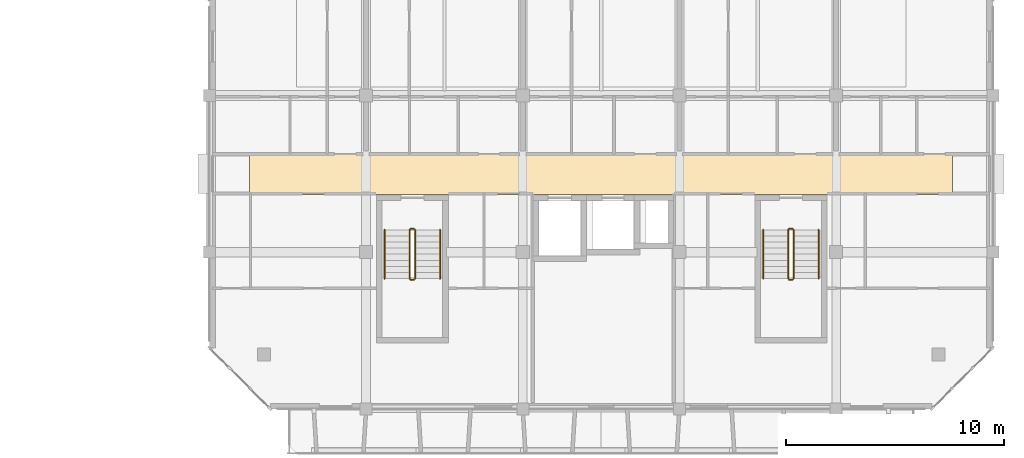
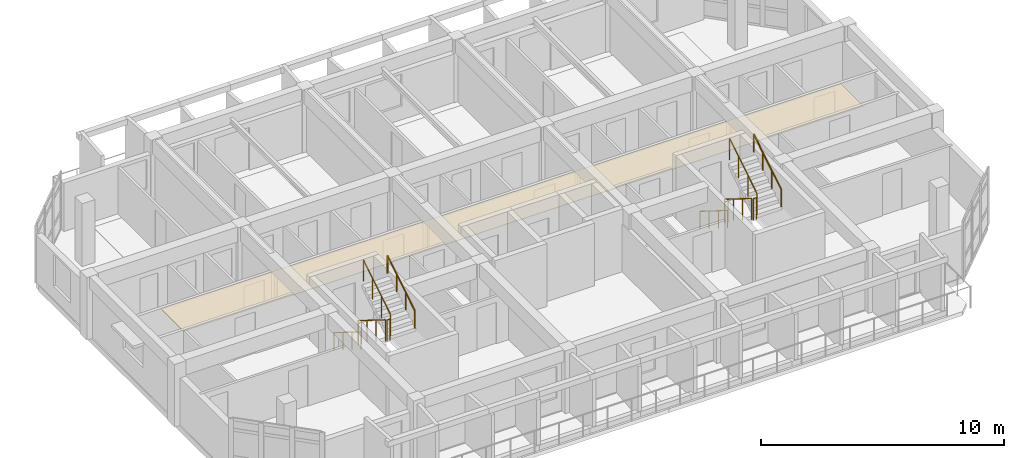
# One storey, part 63 of 64: 12 railings, 1 covering.
"""IFC4 building model written with IfcOpenShell, lengths in metres."""

from ifc_helpers import new_model, si_unit, direction, frame, origin, origin_2d, place, context, subcontext, project, spatial, polyline, circle, outline, extrude, material, layer, layer_set, type_object, element, save


model = new_model("IFC4")

# Units and contexts
model_context = context("Model", 3, precision=1e-05, world=origin(), true_north=direction((0.0, 1.0)))
body_context = subcontext(model_context, "Body", "Model", "MODEL_VIEW")
ifc_project = project(units=[si_unit("LENGTHUNIT", "METRE"), si_unit("AREAUNIT", "SQUARE_METRE"), si_unit("VOLUMEUNIT", "CUBIC_METRE"), si_unit("PLANEANGLEUNIT", "RADIAN"), si_unit("MASSUNIT", "GRAM", prefix="KILO")], contexts=[model_context])

# Site, building, storey
site_placement = place(None, origin())
site = spatial("IfcSite", under=ifc_project, at=site_placement, CompositionType="ELEMENT")
building_placement = place(site_placement, origin())
building = spatial("IfcBuilding", under=site, at=building_placement, Name="Ochrevale Crest", CompositionType="ELEMENT")
storey_placement = place(building_placement, frame((0.0, 0.0, 8.699951171875)))
storey = spatial("IfcBuildingStorey", under=building, at=storey_placement, Name="L02", CompositionType="ELEMENT", Elevation=8.699951171875)

# Covering
ifc_material_1 = material(Name="Gypsum plasterboard", Category="gypsum")
ifc_layer = layer(ifc_material_1, 0.02490234375)
ifc_layer_set = layer_set([ifc_layer], Name="Gypsum plasterboard")
covering_type = type_object("IfcCoveringType", Name="COV-CEIL-GYP", PredefinedType="CEILING", material=ifc_layer_set)
covering_placement = place(storey_placement, frame((0.0, 0.0, 2.280029296875)))
element("IfcCovering", 1, at=covering_placement, inside=storey, type_object=covering_type, Name="Block D L02 acoustic corridor ceiling", PredefinedType="CEILING", context=body_context, shape_type="SweptSolid", body=[
    extrude(outline(polyline([(131.449951171875, 81.860107421875), (163.75, 81.860107421875), (163.75, 83.739990234375), (131.449951171875, 83.739990234375), (131.449951171875, 81.860107421875)])), origin(), (0.0, 0.0, 1.0), 0.02490234375),
])

# Railings
ifc_material_2 = material(Name="Galvanised steel", Category="steel")
railing_type_1 = type_object("IfcRailingType", Name="RL-ST-GUARD", PredefinedType="BALUSTRADE", material=ifc_material_2)
railing_1_placement = place(storey_placement, frame((138.800048828125, 80.22509765625, 0.175048828125)))
element("IfcRailing", 2, at=railing_1_placement, inside=storey, type_object=railing_type_1, Name="L02 ST-D1 stair guard 1", PredefinedType="BALUSTRADE", context=body_context, shape_type="SweptSolid", body=[
    extrude(circle(Radius=0.02392578125, at=origin_2d()), frame((0.0, 0.0, 1.076171875), z_axis=(0.0, -0.848013881152, 0.529974015752), x_axis=(1.0, 0.0, 0.0)), (0.0, 0.0, 1.0), 2.641357421875),
    extrude(circle(Radius=0.02099609375, at=origin_2d()), origin(), (0.0, 0.0, 1.0), 1.052001953125),
    extrude(circle(Radius=0.02099609375, at=origin_2d()), frame((0.0, -0.74658203125, 0.466552734375)), (0.0, 0.0, 1.0), 1.052001953125),
    extrude(circle(Radius=0.02099609375, at=origin_2d()), frame((0.0, -1.493408203125, 0.933349609375)), (0.0, 0.0, 1.0), 1.052001953125),
    extrude(circle(Radius=0.02099609375, at=origin_2d()), frame((0.0, -2.239990234375, 1.39990234375)), (0.0, 0.0, 1.0), 1.052001953125),
])
railing_2_placement = place(storey_placement, frame((138.85009765625, 77.93505859375, 1.574951171875)))
element("IfcRailing", 3, at=railing_2_placement, inside=storey, type_object=railing_type_1, Name="L02 ST-D1 stair guard 2", PredefinedType="BALUSTRADE", context=body_context, shape_type="SweptSolid", body=[
    extrude(circle(Radius=0.02392578125, at=origin_2d()), frame((0.0, 0.0, 1.076171875), z_axis=(1.0, 0.0, 0.0), x_axis=(0.0, 1.0, 0.0)), (0.0, 0.0, 1.0), 0.14990234375),
    extrude(circle(Radius=0.02099609375, at=origin_2d()), origin(), (0.0, 0.0, 1.0), 1.052001953125),
    extrude(circle(Radius=0.02099609375, at=origin_2d()), frame((0.14990234375, 0.0, 0.0)), (0.0, 0.0, 1.0), 1.052001953125),
])
railing_3_placement = place(storey_placement, frame((139.050048828125, 77.985107421875, 1.75)))
element("IfcRailing", 4, at=railing_3_placement, inside=storey, type_object=railing_type_1, Name="L02 ST-D1 stair guard 3", PredefinedType="BALUSTRADE", context=body_context, shape_type="SweptSolid", body=[
    extrude(circle(Radius=0.02392578125, at=origin_2d()), frame((0.0, 0.0, 1.076171875), z_axis=(0.0, 0.847972341737, 0.530040477369), x_axis=(-1.0, 0.0, 0.0)), (0.0, 0.0, 1.0), 2.6416015625),
    extrude(circle(Radius=0.02099609375, at=origin_2d()), origin(), (0.0, 0.0, 1.0), 1.052001953125),
    extrude(circle(Radius=0.02099609375, at=origin_2d()), frame((0.0, 0.74658203125, 0.466796875)), (0.0, 0.0, 1.0), 1.052001953125),
    extrude(circle(Radius=0.02099609375, at=origin_2d()), frame((0.0, 1.493408203125, 0.933349609375)), (0.0, 0.0, 1.0), 1.052001953125),
    extrude(circle(Radius=0.02099609375, at=origin_2d()), frame((0.0, 2.239990234375, 1.400146484375)), (0.0, 0.0, 1.0), 1.052001953125),
])
railing_4_placement = place(storey_placement, frame((138.85009765625, 80.27490234375, 0.0)))
element("IfcRailing", 5, at=railing_4_placement, inside=storey, type_object=railing_type_1, Name="L02 ST-D1 stair guard 4", PredefinedType="BALUSTRADE", context=body_context, shape_type="SweptSolid", body=[
    extrude(circle(Radius=0.02392578125, at=origin_2d()), frame((0.0, 0.0, 1.076171875), z_axis=(1.0, 0.0, 0.0), x_axis=(0.0, 1.0, 0.0)), (0.0, 0.0, 1.0), 0.14990234375),
    extrude(circle(Radius=0.02099609375, at=origin_2d()), origin(), (0.0, 0.0, 1.0), 1.052001953125),
    extrude(circle(Radius=0.02099609375, at=origin_2d()), frame((0.14990234375, 0.0, 0.0)), (0.0, 0.0, 1.0), 1.052001953125),
])
railing_5_placement = place(storey_placement, frame((156.199951171875, 80.22509765625, 0.175048828125)))
element("IfcRailing", 6, at=railing_5_placement, inside=storey, type_object=railing_type_1, Name="L02 ST-D2 stair guard 1", PredefinedType="BALUSTRADE", context=body_context, shape_type="SweptSolid", body=[
    extrude(circle(Radius=0.02392578125, at=origin_2d()), frame((0.0, 0.0, 1.076171875), z_axis=(0.0, -0.848013881152, 0.529974015752), x_axis=(1.0, 0.0, 0.0)), (0.0, 0.0, 1.0), 2.641357421875),
    extrude(circle(Radius=0.02099609375, at=origin_2d()), origin(), (0.0, 0.0, 1.0), 1.052001953125),
    extrude(circle(Radius=0.02099609375, at=origin_2d()), frame((0.0, -0.74658203125, 0.466552734375)), (0.0, 0.0, 1.0), 1.052001953125),
    extrude(circle(Radius=0.02099609375, at=origin_2d()), frame((0.0, -1.493408203125, 0.933349609375)), (0.0, 0.0, 1.0), 1.052001953125),
    extrude(circle(Radius=0.02099609375, at=origin_2d()), frame((0.0, -2.239990234375, 1.39990234375)), (0.0, 0.0, 1.0), 1.052001953125),
])
railing_6_placement = place(storey_placement, frame((156.25, 77.93505859375, 1.574951171875)))
element("IfcRailing", 7, at=railing_6_placement, inside=storey, type_object=railing_type_1, Name="L02 ST-D2 stair guard 2", PredefinedType="BALUSTRADE", context=body_context, shape_type="SweptSolid", body=[
    extrude(circle(Radius=0.02392578125, at=origin_2d()), frame((0.0, 0.0, 1.076171875), z_axis=(1.0, 0.0, 0.0), x_axis=(0.0, 1.0, 0.0)), (0.0, 0.0, 1.0), 0.14990234375),
    extrude(circle(Radius=0.02099609375, at=origin_2d()), origin(), (0.0, 0.0, 1.0), 1.052001953125),
    extrude(circle(Radius=0.02099609375, at=origin_2d()), frame((0.14990234375, 0.0, 0.0)), (0.0, 0.0, 1.0), 1.052001953125),
])
railing_7_placement = place(storey_placement, frame((156.449951171875, 77.985107421875, 1.75)))
element("IfcRailing", 8, at=railing_7_placement, inside=storey, type_object=railing_type_1, Name="L02 ST-D2 stair guard 3", PredefinedType="BALUSTRADE", context=body_context, shape_type="SweptSolid", body=[
    extrude(circle(Radius=0.02392578125, at=origin_2d()), frame((0.0, 0.0, 1.076171875), z_axis=(0.0, 0.847972341737, 0.530040477369), x_axis=(-1.0, 0.0, 0.0)), (0.0, 0.0, 1.0), 2.6416015625),
    extrude(circle(Radius=0.02099609375, at=origin_2d()), origin(), (0.0, 0.0, 1.0), 1.052001953125),
    extrude(circle(Radius=0.02099609375, at=origin_2d()), frame((0.0, 0.74658203125, 0.466796875)), (0.0, 0.0, 1.0), 1.052001953125),
    extrude(circle(Radius=0.02099609375, at=origin_2d()), frame((0.0, 1.493408203125, 0.933349609375)), (0.0, 0.0, 1.0), 1.052001953125),
    extrude(circle(Radius=0.02099609375, at=origin_2d()), frame((0.0, 2.239990234375, 1.400146484375)), (0.0, 0.0, 1.0), 1.052001953125),
])
railing_8_placement = place(storey_placement, frame((156.25, 80.27490234375, 0.0)))
element("IfcRailing", 9, at=railing_8_placement, inside=storey, type_object=railing_type_1, Name="L02 ST-D2 stair guard 4", PredefinedType="BALUSTRADE", context=body_context, shape_type="SweptSolid", body=[
    extrude(circle(Radius=0.02392578125, at=origin_2d()), frame((0.0, 0.0, 1.076171875), z_axis=(1.0, 0.0, 0.0), x_axis=(0.0, 1.0, 0.0)), (0.0, 0.0, 1.0), 0.14990234375),
    extrude(circle(Radius=0.02099609375, at=origin_2d()), origin(), (0.0, 0.0, 1.0), 1.052001953125),
    extrude(circle(Radius=0.02099609375, at=origin_2d()), frame((0.14990234375, 0.0, 0.0)), (0.0, 0.0, 1.0), 1.052001953125),
])
ifc_material_3 = material(Name="Stainless steel", Category="steel")
railing_type_2 = type_object("IfcRailingType", Name="RL-ST-HRAIL", PredefinedType="HANDRAIL", material=ifc_material_3)
railing_9_placement = place(storey_placement, frame((137.64990234375, 80.22509765625, 0.175048828125)))
element("IfcRailing", 10, at=railing_9_placement, inside=storey, type_object=railing_type_2, Name="L02 ST-D1 stair handrail 1", PredefinedType="HANDRAIL", context=body_context, shape_type="SweptSolid", body=[
    extrude(circle(Radius=0.02392578125, at=origin_2d()), frame((0.0, 0.0, 0.8759765625), z_axis=(0.0, -0.848013881152, 0.529974015752), x_axis=(1.0, 0.0, 0.0)), (0.0, 0.0, 1.0), 2.641357421875),
    extrude(circle(Radius=0.02099609375, at=origin_2d()), origin(), (0.0, 0.0, 1.0), 0.851806640625),
    extrude(circle(Radius=0.02099609375, at=origin_2d()), frame((0.0, -0.74658203125, 0.466552734375)), (0.0, 0.0, 1.0), 0.851806640625),
    extrude(circle(Radius=0.02099609375, at=origin_2d()), frame((0.0, -1.493408203125, 0.933349609375)), (0.0, 0.0, 1.0), 0.851806640625),
    extrude(circle(Radius=0.02099609375, at=origin_2d()), frame((0.0, -2.239990234375, 1.39990234375)), (0.0, 0.0, 1.0), 0.851806640625),
])
railing_10_placement = place(storey_placement, frame((140.199951171875, 77.985107421875, 1.75)))
element("IfcRailing", 11, at=railing_10_placement, inside=storey, type_object=railing_type_2, Name="L02 ST-D1 stair handrail 2", PredefinedType="HANDRAIL", context=body_context, shape_type="SweptSolid", body=[
    extrude(circle(Radius=0.02392578125, at=origin_2d()), frame((0.0, 0.0, 0.8759765625), z_axis=(0.0, 0.847972341737, 0.530040477369), x_axis=(-1.0, 0.0, 0.0)), (0.0, 0.0, 1.0), 2.6416015625),
    extrude(circle(Radius=0.02099609375, at=origin_2d()), origin(), (0.0, 0.0, 1.0), 0.851806640625),
    extrude(circle(Radius=0.02099609375, at=origin_2d()), frame((0.0, 0.74658203125, 0.466796875)), (0.0, 0.0, 1.0), 0.851806640625),
    extrude(circle(Radius=0.02099609375, at=origin_2d()), frame((0.0, 1.493408203125, 0.933349609375)), (0.0, 0.0, 1.0), 0.851806640625),
    extrude(circle(Radius=0.02099609375, at=origin_2d()), frame((0.0, 2.239990234375, 1.400146484375)), (0.0, 0.0, 1.0), 0.851806640625),
])
railing_11_placement = place(storey_placement, frame((155.050048828125, 80.22509765625, 0.175048828125)))
element("IfcRailing", 12, at=railing_11_placement, inside=storey, type_object=railing_type_2, Name="L02 ST-D2 stair handrail 1", PredefinedType="HANDRAIL", context=body_context, shape_type="SweptSolid", body=[
    extrude(circle(Radius=0.02392578125, at=origin_2d()), frame((0.0, 0.0, 0.8759765625), z_axis=(0.0, -0.848013881152, 0.529974015752), x_axis=(1.0, 0.0, 0.0)), (0.0, 0.0, 1.0), 2.641357421875),
    extrude(circle(Radius=0.02099609375, at=origin_2d()), origin(), (0.0, 0.0, 1.0), 0.851806640625),
    extrude(circle(Radius=0.02099609375, at=origin_2d()), frame((0.0, -0.74658203125, 0.466552734375)), (0.0, 0.0, 1.0), 0.851806640625),
    extrude(circle(Radius=0.02099609375, at=origin_2d()), frame((0.0, -1.493408203125, 0.933349609375)), (0.0, 0.0, 1.0), 0.851806640625),
    extrude(circle(Radius=0.02099609375, at=origin_2d()), frame((0.0, -2.239990234375, 1.39990234375)), (0.0, 0.0, 1.0), 0.851806640625),
])
railing_12_placement = place(storey_placement, frame((157.60009765625, 77.985107421875, 1.75)))
element("IfcRailing", 13, at=railing_12_placement, inside=storey, type_object=railing_type_2, Name="L02 ST-D2 stair handrail 2", PredefinedType="HANDRAIL", context=body_context, shape_type="SweptSolid", body=[
    extrude(circle(Radius=0.02392578125, at=origin_2d()), frame((0.0, 0.0, 0.8759765625), z_axis=(0.0, 0.847972341737, 0.530040477369), x_axis=(-1.0, 0.0, 0.0)), (0.0, 0.0, 1.0), 2.6416015625),
    extrude(circle(Radius=0.02099609375, at=origin_2d()), origin(), (0.0, 0.0, 1.0), 0.851806640625),
    extrude(circle(Radius=0.02099609375, at=origin_2d()), frame((0.0, 0.74658203125, 0.466796875)), (0.0, 0.0, 1.0), 0.851806640625),
    extrude(circle(Radius=0.02099609375, at=origin_2d()), frame((0.0, 1.493408203125, 0.933349609375)), (0.0, 0.0, 1.0), 0.851806640625),
    extrude(circle(Radius=0.02099609375, at=origin_2d()), frame((0.0, 2.239990234375, 1.400146484375)), (0.0, 0.0, 1.0), 0.851806640625),
])

save(model, "model.ifc")
